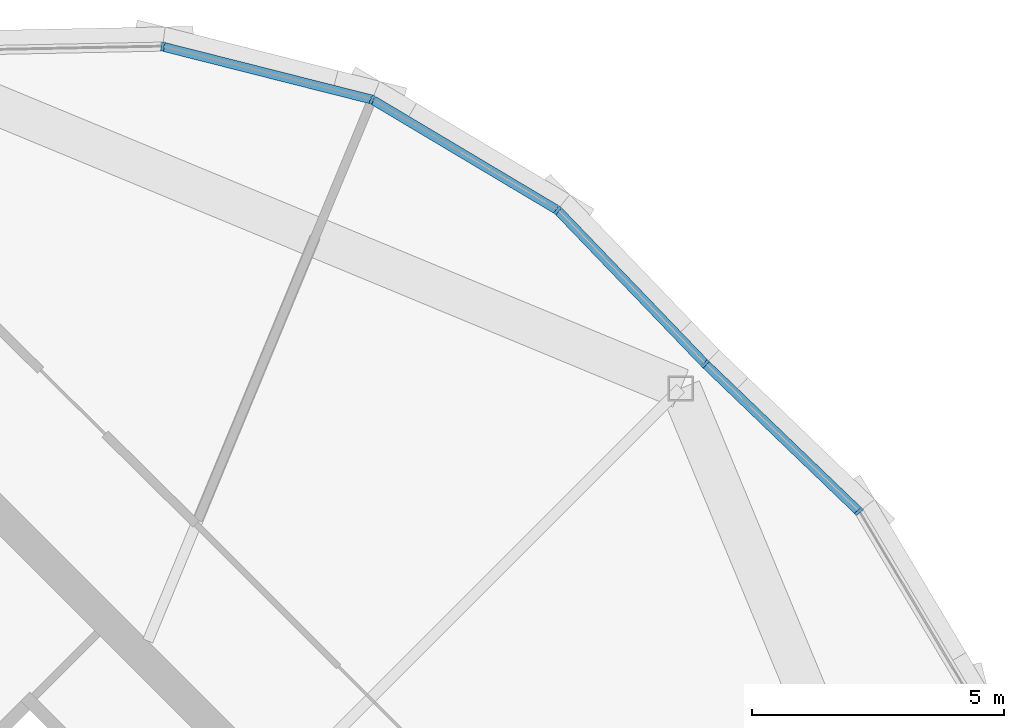
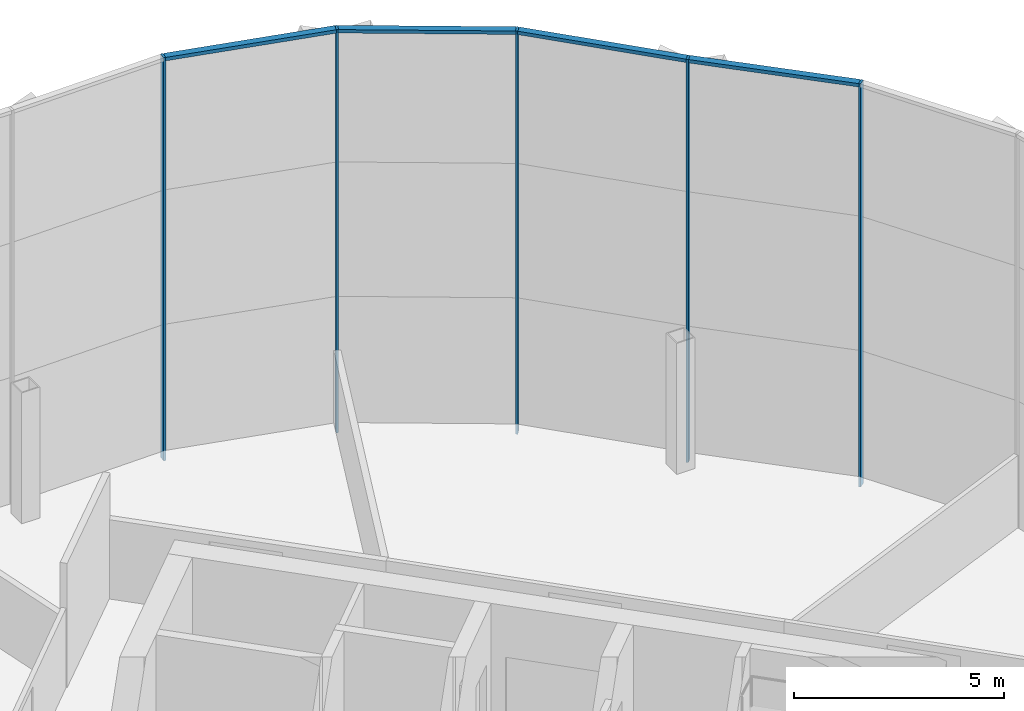
# One storey, part 14 of 25: 9 members, 2 elements without a shape of their own.
"""IFC4 building model written with IfcOpenShell, lengths in metres."""

import ifcopenshell
import ifcopenshell.guid

model = None  # the IFC model being written
_history = None  # IfcOwnerHistory: only IFC2X3 demands one
_inside = {}  # id of a spatial element -> (the spatial element, [elements in it])
_under = {}  # id of a project, library or spatial element -> (it, [spatial elements below it])
_declared = {}  # id of a project -> (the project, [libraries it declares])
_typed = {}  # id of a type object -> (the type object, [elements of that type])
_made_of = {}  # id of a material, layer set ... -> (it, [elements and type objects made of it])


def new_model(schema):
    """Start an empty IFC model of exactly this schema.

    Asked for "IFC4X3", IfcOpenShell would pick the latest addendum, in which some entities
    have other attributes; the version numbers below select the first issue.
    IFC2X3 requires an IfcOwnerHistory on every rooted entity: one is made here for all.
    """
    global model, _history
    if schema == "IFC4X3":
        model = ifcopenshell.file(schema_version=(4, 3, 0, 0))
    else:
        model = ifcopenshell.file(schema=schema)
    _inside.clear()
    _under.clear()
    _declared.clear()
    _typed.clear()
    _made_of.clear()
    _history = None
    if model.schema == "IFC2X3":
        org = make("IfcOrganization", Name="unknown")
        user = make(
            "IfcPersonAndOrganization",
            ThePerson=make("IfcPerson", FamilyName="unknown"),
            TheOrganization=org,
        )
        app = make(
            "IfcApplication",
            ApplicationDeveloper=org,
            Version="unknown",
            ApplicationFullName="unknown",
            ApplicationIdentifier="unknown",
        )
        _history = make(
            "IfcOwnerHistory",
            OwningUser=user,
            OwningApplication=app,
            ChangeAction="ADDED",
            CreationDate=0,
        )
    return model


def make(cls, **values):
    """One entity of the class cls with the attributes given. An attribute that is None is left unset."""
    return model.create_entity(
        cls, **{name: value for name, value in values.items() if value is not None}
    )


def rooted(cls, **values):
    """An entity with a GlobalId (a new one), such as an element, a storey or a relation."""
    return make(cls, GlobalId=ifcopenshell.guid.new(), OwnerHistory=_history, **values)


def si_unit(unit_type, name, prefix=None):
    """IfcSIUnit, for example si_unit("LENGTHUNIT", "METRE", prefix="MILLI")."""
    return make("IfcSIUnit", UnitType=unit_type, Prefix=prefix, Name=name)


def assignment(units):
    """IfcUnitAssignment: the units of a project."""
    return None if units is None else make("IfcUnitAssignment", Units=units)


def point(xyz):
    """IfcCartesianPoint."""
    return None if xyz is None else make("IfcCartesianPoint", Coordinates=xyz)


def direction(xyz):
    """IfcDirection."""
    return None if xyz is None else make("IfcDirection", DirectionRatios=xyz)


def frame(location, z_axis=None, x_axis=None):
    """IfcAxis2Placement3D, a coordinate frame: its origin and axes. An axis left out is left unset."""
    return make(
        "IfcAxis2Placement3D",
        Location=point(location),
        Axis=direction(z_axis),
        RefDirection=direction(x_axis),
    )


def frame_2d(location, x_axis=None):
    """IfcAxis2Placement2D, a coordinate frame in the plane: its origin and x axis."""
    return make(
        "IfcAxis2Placement2D", Location=point(location), RefDirection=direction(x_axis)
    )


def origin():
    """The frame at (0, 0, 0) with its axes left unset."""
    return frame((0.0, 0.0, 0.0))


def origin_2d():
    """The frame at (0, 0) in the plane with its x axis left unset."""
    return frame_2d((0.0, 0.0))


def place(relative_to, where):
    """IfcLocalPlacement: puts the frame where relative to a parent placement (None: the world)."""
    return make(
        "IfcLocalPlacement", PlacementRelTo=relative_to, RelativePlacement=where
    )


def context(
    kind, dimensions, precision=None, world=None, true_north=None, identifier=None
):
    """IfcGeometricRepresentationContext, for example the 3D "Model" context."""
    return make(
        "IfcGeometricRepresentationContext",
        ContextIdentifier=identifier,
        ContextType=kind,
        CoordinateSpaceDimension=dimensions,
        Precision=precision,
        WorldCoordinateSystem=world,
        TrueNorth=true_north,
    )


def subcontext(parent, identifier, kind, view, scale=None):
    """IfcGeometricRepresentationSubContext, for example "Body" below "Model"."""
    return make(
        "IfcGeometricRepresentationSubContext",
        ContextIdentifier=identifier,
        ContextType=kind,
        ParentContext=parent,
        TargetScale=scale,
        TargetView=view,
    )


def project(units=None, contexts=None):
    """IfcProject with its units and contexts."""
    return rooted(
        "IfcProject",
        Name="project",
        RepresentationContexts=contexts,
        UnitsInContext=assignment(units),
    )


def spatial(cls, under=None, at=None, **own):
    """A site, building, storey or space (cls), placed at a placement, below another one or the project."""
    s = rooted(cls, ObjectPlacement=at, **own)
    if under is not None:
        _under.setdefault(under.id(), (under, []))[1].append(s)
    return s


def profile(cls, at=None, kind="AREA", **sizes):
    """A parametric profile (cls). Its sizes go by their IFC names, for example OverallWidth=200.0."""
    return make(cls, ProfileType=kind, Position=at, **sizes)


def rectangle(**sizes):
    """IfcRectangleProfileDef."""
    return profile("IfcRectangleProfileDef", **sizes)


def extrude(swept, where, along, depth):
    """IfcExtrudedAreaSolid: the profile swept, set in the frame where, extruded along a direction by depth."""
    return make(
        "IfcExtrudedAreaSolid",
        SweptArea=swept,
        Position=where,
        ExtrudedDirection=direction(along),
        Depth=depth,
    )


def shape(context_of_items, identifier, shape_type, items):
    """IfcShapeRepresentation: the items that make up one representation, for example the "Body"."""
    return make(
        "IfcShapeRepresentation",
        ContextOfItems=context_of_items,
        RepresentationIdentifier=identifier,
        RepresentationType=shape_type,
        Items=items,
    )


def material(Name=None, Category=None):
    """IfcMaterial."""
    return make("IfcMaterial", Name=Name, Category=Category)


def material_profile(
    of_material, cross_section, Name=None, Category=None, Priority=None
):
    """IfcMaterialProfile: a cross section and its material."""
    return make(
        "IfcMaterialProfile",
        Name=Name,
        Material=of_material,
        Profile=cross_section,
        Priority=Priority,
        Category=Category,
    )


def profile_set(profiles, Name=None, composite=None):
    """IfcMaterialProfileSet."""
    return make(
        "IfcMaterialProfileSet",
        Name=Name,
        MaterialProfiles=profiles,
        CompositeProfile=composite,
    )


def made_of(thing, what):
    """Note that an element or type object is made of a material, layer set ...; save() writes the relation."""
    if what is not None:
        _made_of.setdefault(what.id(), (what, []))[1].append(thing)
    return thing


def type_object(cls, material=None, **own):
    """A type object (cls), such as IfcWallType, which elements share."""
    return made_of(rooted(cls, **own), material)


def element(
    cls,
    number,
    at=None,
    inside=None,
    cuts=None,
    type_object=None,
    material=None,
    context=None,
    identifier="Body",
    shape_type=None,
    held_by="IfcProductDefinitionShape",
    body=None,
    shapes=None,
    **own,
):
    """One element of the class cls, such as IfcWall. Its Tag is "e" and its number.

    at: its placement. inside: the storey or other place that contains it. cuts: it is an
    opening in that element (IfcRelVoidsElement). A single representation is given by context,
    identifier, shape_type and body (its items); several are given by shapes. held_by: the class
    of the entity that holds the representations. save() writes the other relations.
    """
    e = rooted(cls, Tag="e%d" % number, ObjectPlacement=at, **own)
    if body is not None:
        shapes = [shape(context, identifier, shape_type, body)]
    if shapes is not None:
        e.Representation = make(held_by, Representations=shapes)
    if inside is not None:
        _inside.setdefault(inside.id(), (inside, []))[1].append(e)
    if cuts is not None:
        rooted(
            "IfcRelVoidsElement", RelatingBuildingElement=cuts, RelatedOpeningElement=e
        )
    if type_object is not None:
        _typed.setdefault(type_object.id(), (type_object, []))[1].append(e)
    return made_of(e, material)


def aggregate(whole, parts):
    """IfcRelAggregates: a whole, such as a stair, and the parts it consists of."""
    return rooted("IfcRelAggregates", RelatingObject=whole, RelatedObjects=parts)


def save(model, path):
    """Write the relations noted so far, then the file.

    IfcRelAggregates (storeys below a building ...), IfcRelContainedInSpatialStructure (elements
    in a storey), IfcRelDefinesByType, IfcRelAssociatesMaterial and IfcRelDeclares: one each for
    every whole, place, type object, material and project.
    """
    for whole, parts in _under.values():
        aggregate(whole, parts)
    for where, things in _inside.values():
        rooted(
            "IfcRelContainedInSpatialStructure",
            RelatedElements=things,
            RelatingStructure=where,
        )
    for kind, things in _typed.values():
        rooted("IfcRelDefinesByType", RelatedObjects=things, RelatingType=kind)
    for what, things in _made_of.values():
        rooted("IfcRelAssociatesMaterial", RelatedObjects=things, RelatingMaterial=what)
    for by, libraries in _declared.values():
        rooted("IfcRelDeclares", RelatingContext=by, RelatedDefinitions=libraries)
    model.write(path)


model = new_model("IFC4")

# Units and contexts
model_context = context("Model", 3, precision=1e-05, world=origin(), true_north=direction((0.0, 1.0)))
body_context = subcontext(model_context, "Body", "Model", "MODEL_VIEW")
ifc_project = project(units=[si_unit("LENGTHUNIT", "METRE"), si_unit("AREAUNIT", "SQUARE_METRE"), si_unit("VOLUMEUNIT", "CUBIC_METRE"), si_unit("PLANEANGLEUNIT", "RADIAN"), si_unit("MASSUNIT", "GRAM", prefix="KILO")], contexts=[model_context])

# Site, building, storey
site_placement = place(None, origin())
site = spatial("IfcSite", under=ifc_project, at=site_placement, CompositionType="ELEMENT")
building_placement = place(site_placement, origin())
building = spatial("IfcBuilding", under=site, at=building_placement, Name="Ogive Gate Towers", CompositionType="ELEMENT")
storey_placement = place(building_placement, frame((0.0, 0.0, 196.800048828125)))
storey = spatial("IfcBuildingStorey", under=building, at=storey_placement, Name="L47", CompositionType="ELEMENT", Elevation=196.800048828125)

# Curtain wall, members
ifc_material = material(Name="Pale metal aluminium", Category="aluminium")
curtain_wall_type = type_object("IfcCurtainWallType", Name="Tower unitised wall, high zone", PredefinedType="NOTDEFINED", material=ifc_material)
curtain_wall_1_placement = place(storey_placement, origin())
curtain_wall_1 = element("IfcCurtainWall", 1, at=curtain_wall_1_placement, inside=storey, type_object=curtain_wall_type, Name="CW2 T2 ECW01", PredefinedType="NOTDEFINED")
ifc_material_profile_1 = material_profile(ifc_material, rectangle(XDim=0.179931640625, YDim=0.06005859375, at=origin_2d()), Name="60 x 180 aluminium box")
ifc_profile_set_1 = profile_set([ifc_material_profile_1], Name="Pale metal aluminium")
member_type_1 = type_object("IfcMemberType", Name="Tower unitised wall, high zone mullion 60 x 180", PredefinedType="MULLION", material=ifc_profile_set_1)
member_1_placement = place(storey_placement, frame((54.047607421875, 12.068115234375, -0.300048828125), z_axis=(0.0, 0.0, 1.0), x_axis=(0.782879705596, 0.622173100162, 0.0)))
member_1 = element("IfcMember", 2, at=member_1_placement, type_object=member_type_1, Name="CW2 mullion", PredefinedType="MULLION", context=body_context, shape_type="SweptSolid", body=[
    extrude(rectangle(XDim=0.179931640625, YDim=0.06005859375, at=origin_2d()), origin(), (0.0, 0.0, 1.0), 11.699951171875),
])
member_2_placement = place(storey_placement, frame((50.997802734375, 14.99755859375, -0.300048828125), z_axis=(0.0, 0.0, 1.0), x_axis=(0.692785351302, 0.72114385321, 0.0)))
member_2 = element("IfcMember", 3, at=member_2_placement, type_object=member_type_1, Name="CW2 mullion", PredefinedType="MULLION", context=body_context, shape_type="SweptSolid", body=[
    extrude(rectangle(XDim=0.179931640625, YDim=0.06005859375, at=origin_2d()), origin(), (0.0, 0.0, 1.0), 11.699951171875),
])

curtain_wall_2_placement = place(storey_placement, origin())
curtain_wall_2 = element("IfcCurtainWall", 4, at=curtain_wall_2_placement, inside=storey, type_object=curtain_wall_type, Name="CW2 T2 ECW02", PredefinedType="NOTDEFINED")
member_3_placement = place(storey_placement, frame((48.068115234375, 18.047607421875, -0.300048828125), z_axis=(0.0, 0.0, 1.0), x_axis=(0.622173100162, 0.782879705596, 0.0)))
member_3 = element("IfcMember", 5, at=member_3_placement, type_object=member_type_1, Name="CW2 mullion", PredefinedType="MULLION", context=body_context, shape_type="SweptSolid", body=[
    extrude(rectangle(XDim=0.179931640625, YDim=0.06005859375, at=origin_2d()), origin(), (0.0, 0.0, 1.0), 11.699951171875),
])
member_4_placement = place(storey_placement, frame((44.385009765625, 20.2431640625, -0.300048828125), z_axis=(0.0, 0.0, 1.0), x_axis=(0.382683432365, 0.923879532511, 0.0)))
member_4 = element("IfcMember", 6, at=member_4_placement, type_object=member_type_1, Name="CW2 mullion", PredefinedType="MULLION", context=body_context, shape_type="SweptSolid", body=[
    extrude(rectangle(XDim=0.179931640625, YDim=0.06005859375, at=origin_2d()), origin(), (0.0, 0.0, 1.0), 11.699951171875),
])
member_5_placement = place(storey_placement, frame((40.228271484375, 21.294921875, -0.300048828125), z_axis=(0.0, 0.0, 1.0), x_axis=(0.113636730484, 0.993522366877, 0.0)))
member_5 = element("IfcMember", 7, at=member_5_placement, type_object=member_type_1, Name="CW2 mullion", PredefinedType="MULLION", context=body_context, shape_type="SweptSolid", body=[
    extrude(rectangle(XDim=0.179931640625, YDim=0.06005859375, at=origin_2d()), origin(), (0.0, 0.0, 1.0), 11.699951171875),
])

# Member
ifc_material_profile_2 = material_profile(ifc_material, rectangle(XDim=0.179931640625, YDim=0.10009765625, at=origin_2d()), Name="100 x 180 aluminium box")
ifc_profile_set_2 = profile_set([ifc_material_profile_2], Name="Pale metal aluminium")
member_type_2 = type_object("IfcMemberType", Name="Tower unitised wall, high zone transom 100 x 180", PredefinedType="USERDEFINED", material=ifc_profile_set_2)
member_6_placement = place(storey_placement, frame((54.02685546875, 12.087890625, 11.349853515625), z_axis=(-0.721161485843, 0.692766996426, 0.0), x_axis=(-0.692766996426, -0.721161485843, 0.0)))
member_6 = element("IfcMember", 8, at=member_6_placement, type_object=member_type_2, Name="CW2 transom", ObjectType="TRANSOM", PredefinedType="USERDEFINED", context=body_context, shape_type="SweptSolid", body=[
    extrude(rectangle(XDim=0.179931640625, YDim=0.10009765625, at=origin_2d()), origin(), (0.0, 0.0, 1.0), 4.170166015625),
])

aggregate(curtain_wall_1, [member_1, member_2, member_6])

member_7_placement = place(storey_placement, frame((50.976806640625, 15.01953125, 11.349853515625), z_axis=(-0.692766996426, 0.721161485843, 0.0), x_axis=(-0.721161485843, -0.692766996426, 0.0)))
member_7 = element("IfcMember", 9, at=member_7_placement, type_object=member_type_2, Name="CW2 transom", ObjectType="TRANSOM", PredefinedType="USERDEFINED", context=body_context, shape_type="SweptSolid", body=[
    extrude(rectangle(XDim=0.179931640625, YDim=0.10009765625, at=origin_2d()), origin(), (0.0, 0.0, 1.0), 4.170166015625),
])

member_8_placement = place(storey_placement, frame((48.043212890625, 18.062255859375, 11.349853515625), z_axis=(-0.858950879232, 0.512057991899, 0.0), x_axis=(-0.512057991899, -0.858950879232, 0.0)))
member_8 = element("IfcMember", 10, at=member_8_placement, type_object=member_type_2, Name="CW2 transom", ObjectType="TRANSOM", PredefinedType="USERDEFINED", context=body_context, shape_type="SweptSolid", body=[
    extrude(rectangle(XDim=0.179931640625, YDim=0.10009765625, at=origin_2d()), origin(), (0.0, 0.0, 1.0), 4.23046875),
])

member_9_placement = place(storey_placement, frame((44.357421875, 20.25, 11.349853515625), z_axis=(-0.969459806068, 0.245250248559, 0.0), x_axis=(-0.245250248559, -0.969459806068, 0.0)))
member_9 = element("IfcMember", 11, at=member_9_placement, type_object=member_type_2, Name="CW2 transom", ObjectType="TRANSOM", PredefinedType="USERDEFINED", context=body_context, shape_type="SweptSolid", body=[
    extrude(rectangle(XDim=0.179931640625, YDim=0.10009765625, at=origin_2d()), origin(), (0.0, 0.0, 1.0), 4.230712890625),
])

aggregate(curtain_wall_2, [member_3, member_7, member_4, member_8, member_5, member_9])

save(model, "model.ifc")
